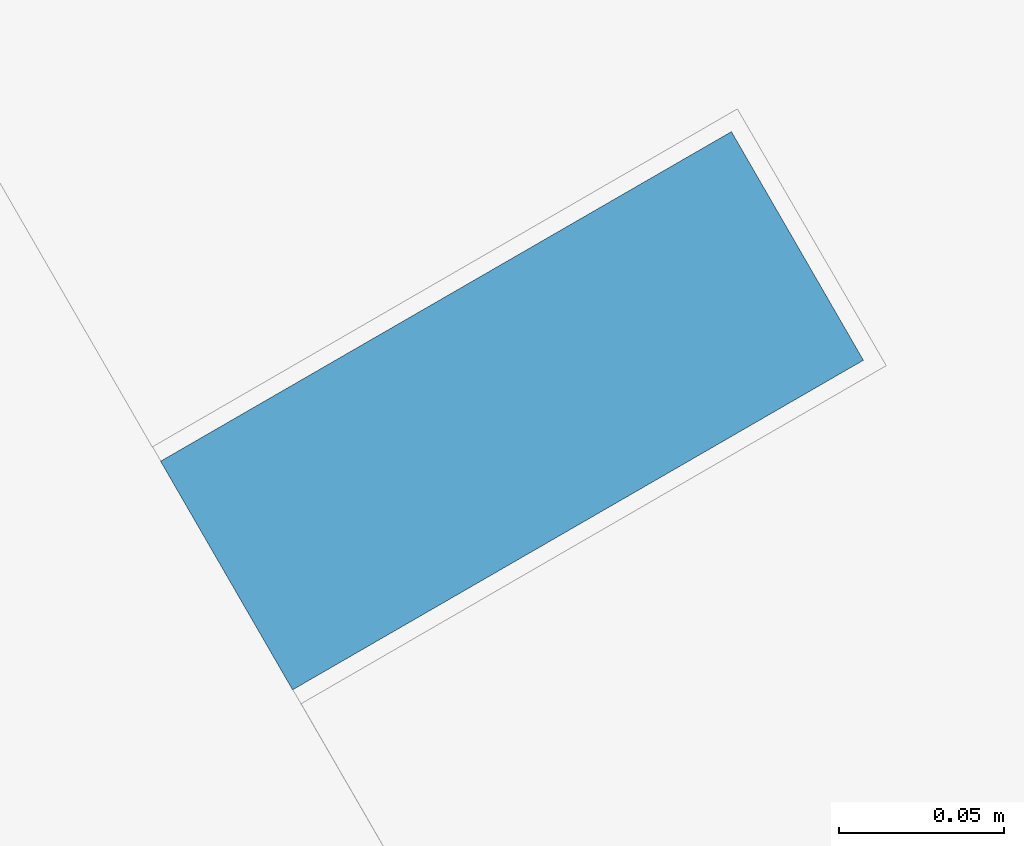
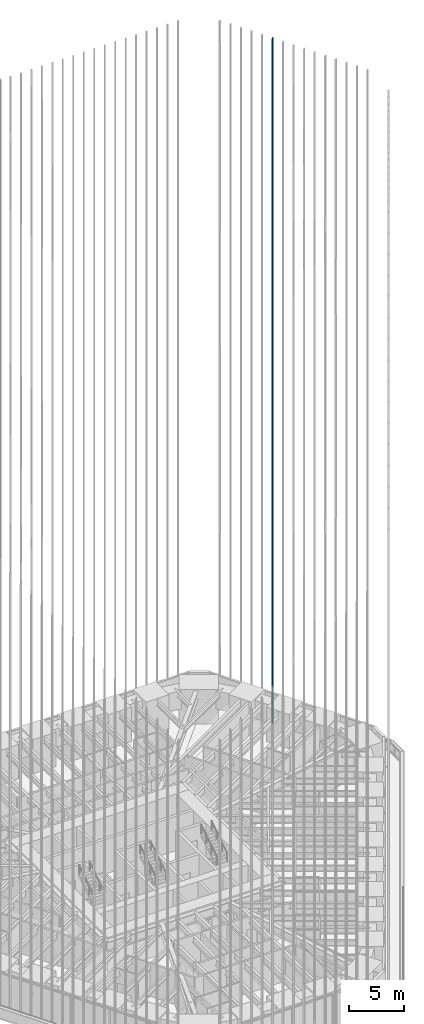
# One storey, part 189 of 238: 1 member, 1 element without a shape of its own.
"""IFC4 building model written with IfcOpenShell, lengths in metres."""

from ifc_helpers import new_model, si_unit, direction, frame, origin, origin_2d, place, context, subcontext, project, spatial, rectangle, extrude, material, material_profile, profile_set, type_object, element, aggregate, save


model = new_model("IFC4")

# Units and contexts
model_context = context("Model", 3, precision=1e-05, world=origin(), true_north=direction((0.0, 1.0)))
body_context = subcontext(model_context, "Body", "Model", "MODEL_VIEW")
ifc_project = project(units=[si_unit("LENGTHUNIT", "METRE"), si_unit("AREAUNIT", "SQUARE_METRE"), si_unit("VOLUMEUNIT", "CUBIC_METRE"), si_unit("PLANEANGLEUNIT", "RADIAN"), si_unit("MASSUNIT", "GRAM", prefix="KILO")], contexts=[model_context])

# Site, building, storey
site_placement = place(None, origin())
site = spatial("IfcSite", under=ifc_project, at=site_placement, CompositionType="ELEMENT")
building_placement = place(site_placement, origin())
building = spatial("IfcBuilding", under=site, at=building_placement, Name="Sandreach Pilgrim Tower", CompositionType="ELEMENT")
storey_placement = place(building_placement, frame((0.0, 0.0, 96.800048828125)))
storey = spatial("IfcBuildingStorey", under=building, at=storey_placement, Name="L23", CompositionType="ELEMENT", Elevation=96.800048828125)

# Curtain wall, member
ifc_material_1 = material(Name="Aluminium framed curtain wall", Category="aluminium")
curtain_wall_type = type_object("IfcCurtainWallType", Name="Hotel tower curtain wall", PredefinedType="NOTDEFINED", material=ifc_material_1)
curtain_wall_placement = place(storey_placement, origin())
curtain_wall = element("IfcCurtainWall", 1, at=curtain_wall_placement, inside=storey, type_object=curtain_wall_type, Name="CW-2 L23 NE", PredefinedType="NOTDEFINED")
ifc_material_2 = material(Name="Extruded terracotta on aluminium core", Category="masonry")
ifc_material_profile = material_profile(ifc_material_2, rectangle(XDim=0.080078125, YDim=0.199951171875, at=origin_2d()), Name="TBE 80X200")
ifc_profile_set = profile_set([ifc_material_profile], Name="Extruded terracotta on aluminium core")
member_type = type_object("IfcMemberType", Name="Terracotta baguette east", PredefinedType="USERDEFINED", material=ifc_profile_set)
member_placement = place(storey_placement, frame((23.65625, 16.21044921875, 0.0), z_axis=(0.0, 0.0, 1.0), x_axis=(0.5, -0.866025403784, 0.0)))
member = element("IfcMember", 2, at=member_placement, type_object=member_type, Name="Baguette Z2 NE06", ObjectType="BAGUETTE", PredefinedType="USERDEFINED", context=body_context, shape_type="SweptSolid", body=[
    extrude(rectangle(XDim=0.080078125, YDim=0.199951171875, at=origin_2d()), origin(), (0.0, 0.0, 1.0), 75.83984375),
])
aggregate(curtain_wall, [member])

save(model, "model.ifc")
